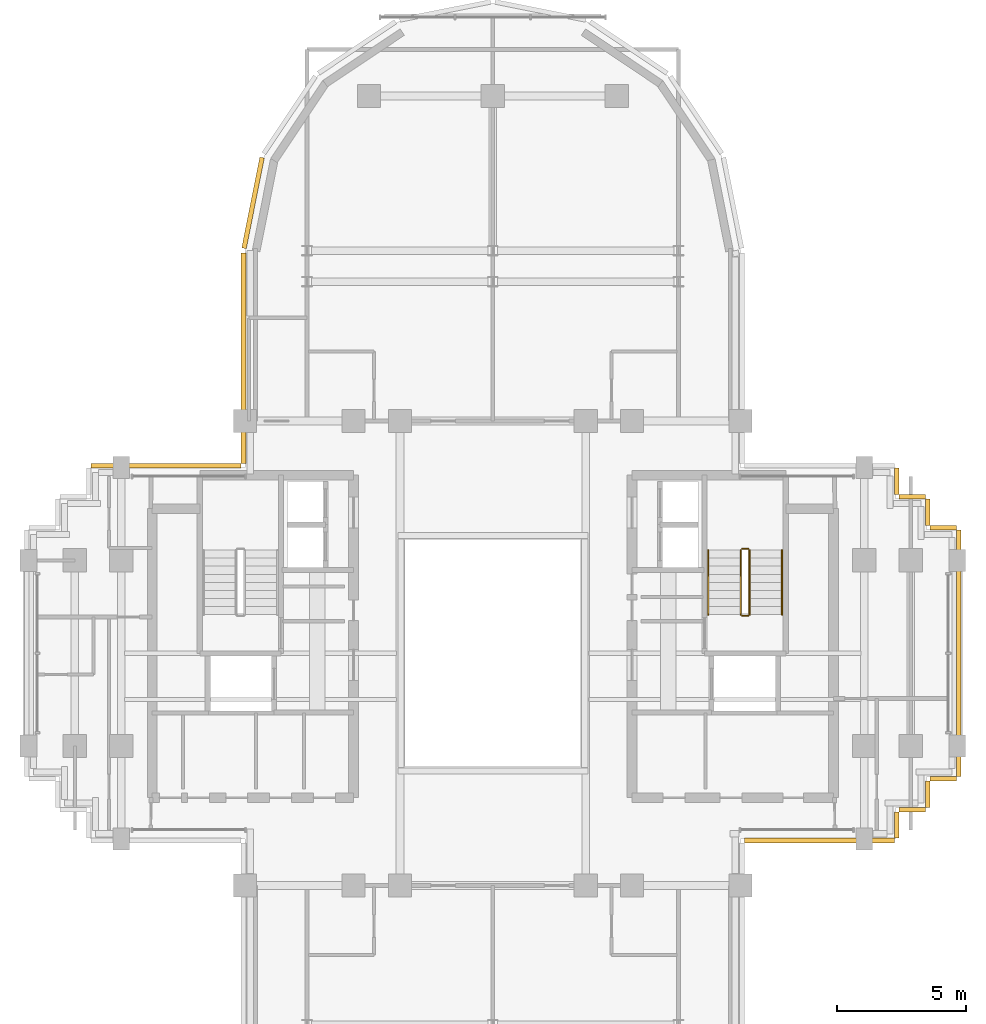
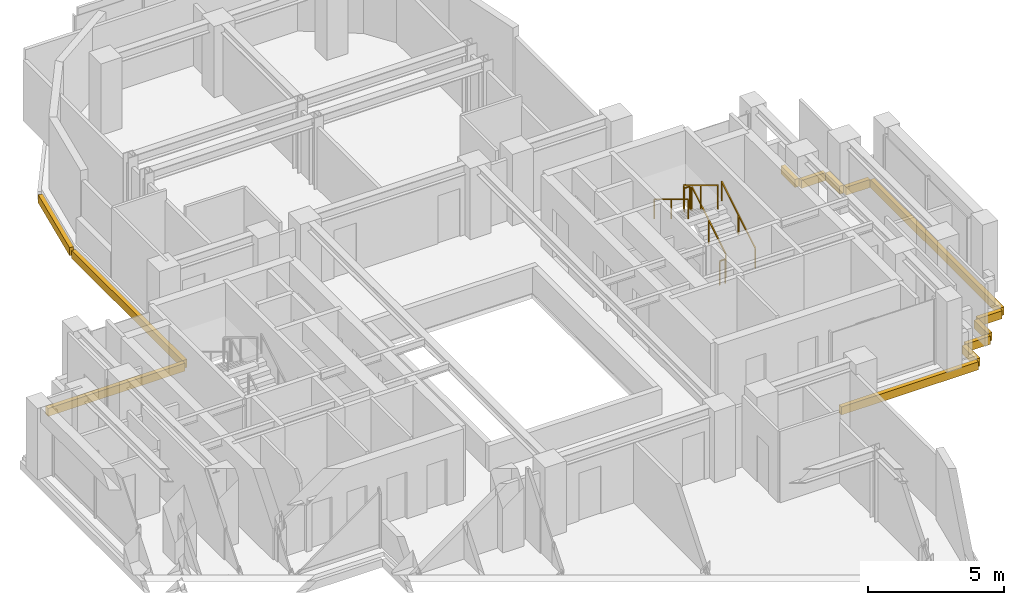
# One storey, part 11 of 12: 13 coverings, 6 railings.
"""IFC4 building model written with IfcOpenShell, lengths in metres."""

from ifc_helpers import new_model, si_unit, direction, frame, origin, origin_2d, place, context, subcontext, project, spatial, rectangle, extrude, source, transform, mapped, material, layer, layer_set, type_object, element, save


model = new_model("IFC4")

# Units and contexts
model_context = context("Model", 3, precision=1e-05, world=origin(), true_north=direction((0.0, 1.0)))
body_context = subcontext(model_context, "Body", "Model", "MODEL_VIEW")
ifc_project = project(units=[si_unit("LENGTHUNIT", "METRE"), si_unit("AREAUNIT", "SQUARE_METRE"), si_unit("VOLUMEUNIT", "CUBIC_METRE"), si_unit("PLANEANGLEUNIT", "RADIAN"), si_unit("MASSUNIT", "GRAM", prefix="KILO")], contexts=[model_context])

# Site, building, storey
site_placement = place(None, origin())
site = spatial("IfcSite", under=ifc_project, at=site_placement, CompositionType="ELEMENT")
building_placement = place(site_placement, origin())
building = spatial("IfcBuilding", under=site, at=building_placement, Name="Keilestroom Media Tower", CompositionType="ELEMENT")
storey_placement = place(building_placement, frame((0.0, 0.0, 187.60009765625)))
storey = spatial("IfcBuildingStorey", under=building, at=storey_placement, Name="L51", CompositionType="ELEMENT", Elevation=187.60009765625)

# Railings
ifc_material_1 = material(Name="Brushed Stainless Steel 1.4301", Category="steel")
railing_type_1 = type_object("IfcRailingType", Name="Stair-Pitch-Handrail-920", PredefinedType="HANDRAIL", material=ifc_material_1)
railing_1_placement = place(storey_placement, frame((11.2099609375, 1.5, 0.188720703125)))
element("IfcRailing", 1, at=railing_1_placement, inside=storey, type_object=railing_type_1, Name="L51 ST-2 stair handrail 1", PredefinedType="HANDRAIL", context=body_context, shape_type="SweptSolid", body=[
    extrude(rectangle(XDim=0.048095703125, YDim=0.048095703125, at=origin_2d()), frame((0.0, 0.0, 0.8759765625), z_axis=(0.0, 0.855433747314, 0.517912255074), x_axis=(-1.0, 0.0, 0.0)), (0.0, 0.0, 1.0), 2.91796875),
    extrude(rectangle(XDim=0.0419921875, YDim=0.0419921875, at=origin_2d()), origin(), (0.0, 0.0, 1.0), 0.84375),
    extrude(rectangle(XDim=0.0419921875, YDim=0.0419921875, at=origin_2d()), frame((0.0, 1.248046875, 0.755615234375)), (0.0, 0.0, 1.0), 0.84375),
    extrude(rectangle(XDim=0.0419921875, YDim=0.0419921875, at=origin_2d()), frame((0.0, 2.49609375, 1.51123046875)), (0.0, 0.0, 1.0), 0.84375),
])
railing_2_placement = place(storey_placement, frame((8.35009765625, 3.99609375, 1.888671875)))
element("IfcRailing", 2, at=railing_2_placement, inside=storey, type_object=railing_type_1, Name="L51 ST-2 stair handrail 2", PredefinedType="HANDRAIL", context=body_context, shape_type="SweptSolid", body=[
    extrude(rectangle(XDim=0.048095703125, YDim=0.048095703125, at=origin_2d()), frame((0.0, 0.0, 0.8759765625), z_axis=(0.0, -0.855433747314, 0.517912255074), x_axis=(1.0, 0.0, 0.0)), (0.0, 0.0, 1.0), 2.91796875),
    extrude(rectangle(XDim=0.0419921875, YDim=0.0419921875, at=origin_2d()), origin(), (0.0, 0.0, 1.0), 0.84375),
    extrude(rectangle(XDim=0.0419921875, YDim=0.0419921875, at=origin_2d()), frame((0.0, -1.248046875, 0.755615234375)), (0.0, 0.0, 1.0), 0.84375),
    extrude(rectangle(XDim=0.0419921875, YDim=0.0419921875, at=origin_2d()), frame((0.0, -2.49609375, 1.51123046875)), (0.0, 0.0, 1.0), 0.84375),
])
ifc_material_2 = material(Name="Painted Steel Balustrade", Category="steel")
railing_type_2 = type_object("IfcRailingType", Name="Stair-Well-And-Landing-Guard-1100", PredefinedType="GUARDRAIL", material=ifc_material_2)
railing_3_placement = place(storey_placement, frame((9.949951171875, 1.5, 0.188720703125)))
element("IfcRailing", 3, at=railing_3_placement, inside=storey, type_object=railing_type_2, Name="L51 ST-2 stair guard 1", PredefinedType="GUARDRAIL", context=body_context, shape_type="SweptSolid", body=[
    extrude(rectangle(XDim=0.048095703125, YDim=0.048095703125, at=origin_2d()), frame((0.0, 0.0, 1.076171875), z_axis=(0.0, 0.855433747314, 0.517912255074), x_axis=(-1.0, 0.0, 0.0)), (0.0, 0.0, 1.0), 2.91796875),
    extrude(rectangle(XDim=0.0419921875, YDim=0.0419921875, at=origin_2d()), origin(), (0.0, 0.0, 1.0), 1.0439453125),
    extrude(rectangle(XDim=0.0419921875, YDim=0.0419921875, at=origin_2d()), frame((0.0, 1.248046875, 0.755615234375)), (0.0, 0.0, 1.0), 1.0439453125),
    extrude(rectangle(XDim=0.0419921875, YDim=0.0419921875, at=origin_2d()), frame((0.0, 2.49609375, 1.51123046875)), (0.0, 0.0, 1.0), 1.0439453125),
])
railing_4_placement = place(storey_placement, frame((9.89990234375, 4.0458984375, 1.699951171875)))
element("IfcRailing", 4, at=railing_4_placement, inside=storey, type_object=railing_type_2, Name="L51 ST-2 stair guard 2", PredefinedType="GUARDRAIL", context=body_context, shape_type="SweptSolid", body=[
    extrude(rectangle(XDim=0.048095703125, YDim=0.048095703125, at=origin_2d()), frame((0.0, 0.0, 1.076171875), z_axis=(-1.0, 0.0, 0.0), x_axis=(0.0, -1.0, 0.0)), (0.0, 0.0, 1.0), 0.239990234375),
    extrude(rectangle(XDim=0.0419921875, YDim=0.0419921875, at=origin_2d()), origin(), (0.0, 0.0, 1.0), 1.0439453125),
    extrude(rectangle(XDim=0.0419921875, YDim=0.0419921875, at=origin_2d()), frame((-0.239990234375, 0.0, 0.0)), (0.0, 0.0, 1.0), 1.0439453125),
])
railing_5_placement = place(storey_placement, frame((9.610107421875, 3.99609375, 1.888671875)))
element("IfcRailing", 5, at=railing_5_placement, inside=storey, type_object=railing_type_2, Name="L51 ST-2 stair guard 3", PredefinedType="GUARDRAIL", context=body_context, shape_type="SweptSolid", body=[
    extrude(rectangle(XDim=0.048095703125, YDim=0.048095703125, at=origin_2d()), frame((0.0, 0.0, 1.076171875), z_axis=(0.0, -0.855433747314, 0.517912255074), x_axis=(1.0, 0.0, 0.0)), (0.0, 0.0, 1.0), 2.91796875),
    extrude(rectangle(XDim=0.0419921875, YDim=0.0419921875, at=origin_2d()), origin(), (0.0, 0.0, 1.0), 1.0439453125),
    extrude(rectangle(XDim=0.0419921875, YDim=0.0419921875, at=origin_2d()), frame((0.0, -1.248046875, 0.755615234375)), (0.0, 0.0, 1.0), 1.0439453125),
    extrude(rectangle(XDim=0.0419921875, YDim=0.0419921875, at=origin_2d()), frame((0.0, -2.49609375, 1.51123046875)), (0.0, 0.0, 1.0), 1.0439453125),
])
railing_6_placement = place(storey_placement, frame((9.89990234375, 1.449951171875, 0.0)))
element("IfcRailing", 6, at=railing_6_placement, inside=storey, type_object=railing_type_2, Name="L51 ST-2 stair guard 4", PredefinedType="GUARDRAIL", context=body_context, shape_type="SweptSolid", body=[
    extrude(rectangle(XDim=0.048095703125, YDim=0.048095703125, at=origin_2d()), frame((0.0, 0.0, 1.076171875), z_axis=(-1.0, 0.0, 0.0), x_axis=(0.0, -1.0, 0.0)), (0.0, 0.0, 1.0), 0.239990234375),
    extrude(rectangle(XDim=0.0419921875, YDim=0.0419921875, at=origin_2d()), origin(), (0.0, 0.0, 1.0), 1.0439453125),
    extrude(rectangle(XDim=0.0419921875, YDim=0.0419921875, at=origin_2d()), frame((-0.239990234375, 0.0, 0.0)), (0.0, 0.0, 1.0), 1.0439453125),
])

# Coverings
ifc_material_3 = material(Name="Precast concrete C40/50", Category="concrete")
ifc_layer = layer(ifc_material_3, 0.1201171875)
ifc_layer_set = layer_set([ifc_layer], Name="Precast concrete C40/50")
covering_type = type_object("IfcCoveringType", Name="Exterior-Precast-Spandrel-Cladding-Panel-120", PredefinedType="CLADDING", material=ifc_layer_set)
shared_shape_1 = source(origin(), body_context, "Body", "SweptSolid", [
    extrude(rectangle(XDim=1.02001953125, YDim=0.179931640625, at=origin_2d()), origin(), (0.0, 0.0, 1.0), 0.360107421875),
])
for number, where, z_axis, x_axis, name in (
    (7, (17.4599609375, -4.860107421875, -0.5400390625), (0.0, 0.0, 1.0), (-1.0, 0.0, 0.0), "L51 Precast Slab-Edge Fascia Cornice 01"),
    (8, (16.860107421875, -5.4599609375, -0.5400390625), (0.0, 0.0, 1.0), (0.0, -1.0, 0.0), "L51 Precast Slab-Edge Fascia Cornice 02"),
    (9, (16.260009765625, -6.06005859375, -0.5400390625), (0.0, 0.0, 1.0), (-1.0, 0.0, 0.0), "L51 Precast Slab-Edge Fascia Cornice 03"),
    (10, (15.659912109375, -6.659912109375, -0.5400390625), (0.0, 0.0, 1.0), (0.0, -1.0, 0.0), "L51 Precast Slab-Edge Fascia Cornice 04"),
    (11, (15.659912109375, 6.659912109375, -0.5400390625), (0.0, 0.0, 1.0), (0.0, -1.0, 0.0), "L51 Precast Slab-Edge Fascia Cornice 38"),
    (12, (16.260009765625, 6.06005859375, -0.5400390625), (0.0, 0.0, 1.0), (1.0, 0.0, 0.0), "L51 Precast Slab-Edge Fascia Cornice 39"),
    (13, (16.860107421875, 5.4599609375, -0.5400390625), (0.0, 0.0, 1.0), (0.0, -1.0, 0.0), "L51 Precast Slab-Edge Fascia Cornice 40"),
    (14, (17.4599609375, 4.860107421875, -0.5400390625), (0.0, 0.0, 1.0), (1.0, 0.0, 0.0), "L51 Precast Slab-Edge Fascia Cornice 41"),
):
    element("IfcCovering", number, at=place(storey_placement, frame(where, z_axis=z_axis, x_axis=x_axis)), inside=storey, type_object=covering_type, Name=name, PredefinedType="CLADDING", context=body_context, shape_type="MappedRepresentation", body=[
        mapped(shared_shape_1, transform((0.0, 0.0, 0.0), x_axis=(1.0, 0.0, 0.0), y_axis=(0.0, 1.0, 0.0), z_axis=(0.0, 0.0, 1.0), scale=1.0)),
    ])
shared_shape_2 = source(origin(), body_context, "Body", "SweptSolid", [
    extrude(rectangle(XDim=8.166015625, YDim=0.179931640625, at=origin_2d()), origin(), (0.0, 0.0, 1.0), 0.360107421875),
])
covering_1_placement = place(storey_placement, frame((-9.659912109375, 11.43310546875, -0.5400390625), z_axis=(0.0, 0.0, 1.0), x_axis=(0.0, 1.0, 0.0)))
element("IfcCovering", 15, at=covering_1_placement, inside=storey, type_object=covering_type, Name="L51 Precast Slab-Edge Fascia Cornice 27", PredefinedType="CLADDING", context=body_context, shape_type="MappedRepresentation", body=[
    mapped(shared_shape_2, transform((0.0, 0.0, 0.0), x_axis=(1.0, 0.0, 0.0), y_axis=(0.0, 1.0, 0.0), z_axis=(0.0, 0.0, 1.0), scale=1.0)),
])
shared_shape_3 = source(origin(), body_context, "Body", "SweptSolid", [
    extrude(rectangle(XDim=3.58349609375, YDim=0.179931640625, at=origin_2d()), origin(), (0.0, 0.0, 1.0), 0.360107421875),
])
covering_2_placement = place(storey_placement, frame((-9.29296875, 17.45166015625, -0.5400390625), z_axis=(0.0, 0.0, 1.0), x_axis=(0.195098880975, 0.980783577882, 0.0)))
element("IfcCovering", 16, at=covering_2_placement, inside=storey, type_object=covering_type, Name="L51 Precast Slab-Edge Fascia Cornice 28", PredefinedType="CLADDING", context=body_context, shape_type="MappedRepresentation", body=[
    mapped(shared_shape_3, transform((0.0, 0.0, 0.0), x_axis=(1.0, 0.0, 0.0), y_axis=(0.0, 1.0, 0.0), z_axis=(0.0, 0.0, 1.0), scale=1.0)),
])
shared_shape_4 = source(origin(), body_context, "Body", "SweptSolid", [
    extrude(rectangle(XDim=9.5400390625, YDim=0.179931640625, at=origin_2d()), origin(), (0.0, 0.0, 1.0), 0.360107421875),
])
covering_3_placement = place(storey_placement, frame((18.06005859375, 0.0, -0.5400390625), z_axis=(0.0, 0.0, 1.0), x_axis=(0.0, -1.0, 0.0)))
element("IfcCovering", 17, at=covering_3_placement, inside=storey, type_object=covering_type, Name="L51 Precast Slab-Edge Fascia Cornice 42", PredefinedType="CLADDING", context=body_context, shape_type="MappedRepresentation", body=[
    mapped(shared_shape_4, transform((0.0, 0.0, 0.0), x_axis=(1.0, 0.0, 0.0), y_axis=(0.0, 1.0, 0.0), z_axis=(0.0, 0.0, 1.0), scale=1.0)),
])
shared_shape_5 = source(origin(), body_context, "Body", "SweptSolid", [
    extrude(rectangle(XDim=5.820068359375, YDim=0.179931640625, at=origin_2d()), origin(), (0.0, 0.0, 1.0), 0.360107421875),
])
for number, where, z_axis, x_axis, name in (
    (18, (12.659912109375, -7.260009765625, -0.5400390625), (0.0, 0.0, 1.0), (-1.0, 0.0, 0.0), "L51 Precast Slab-Edge Fascia Cornice 05"),
    (19, (-12.659912109375, 7.260009765625, -0.5400390625), (0.0, 0.0, 1.0), (1.0, 0.0, 0.0), "L51 Precast Slab-Edge Fascia Cornice 26"),
):
    element("IfcCovering", number, at=place(storey_placement, frame(where, z_axis=z_axis, x_axis=x_axis)), inside=storey, type_object=covering_type, Name=name, PredefinedType="CLADDING", context=body_context, shape_type="MappedRepresentation", body=[
        mapped(shared_shape_5, transform((0.0, 0.0, 0.0), x_axis=(1.0, 0.0, 0.0), y_axis=(0.0, 1.0, 0.0), z_axis=(0.0, 0.0, 1.0), scale=1.0)),
    ])

save(model, "model.ifc")
